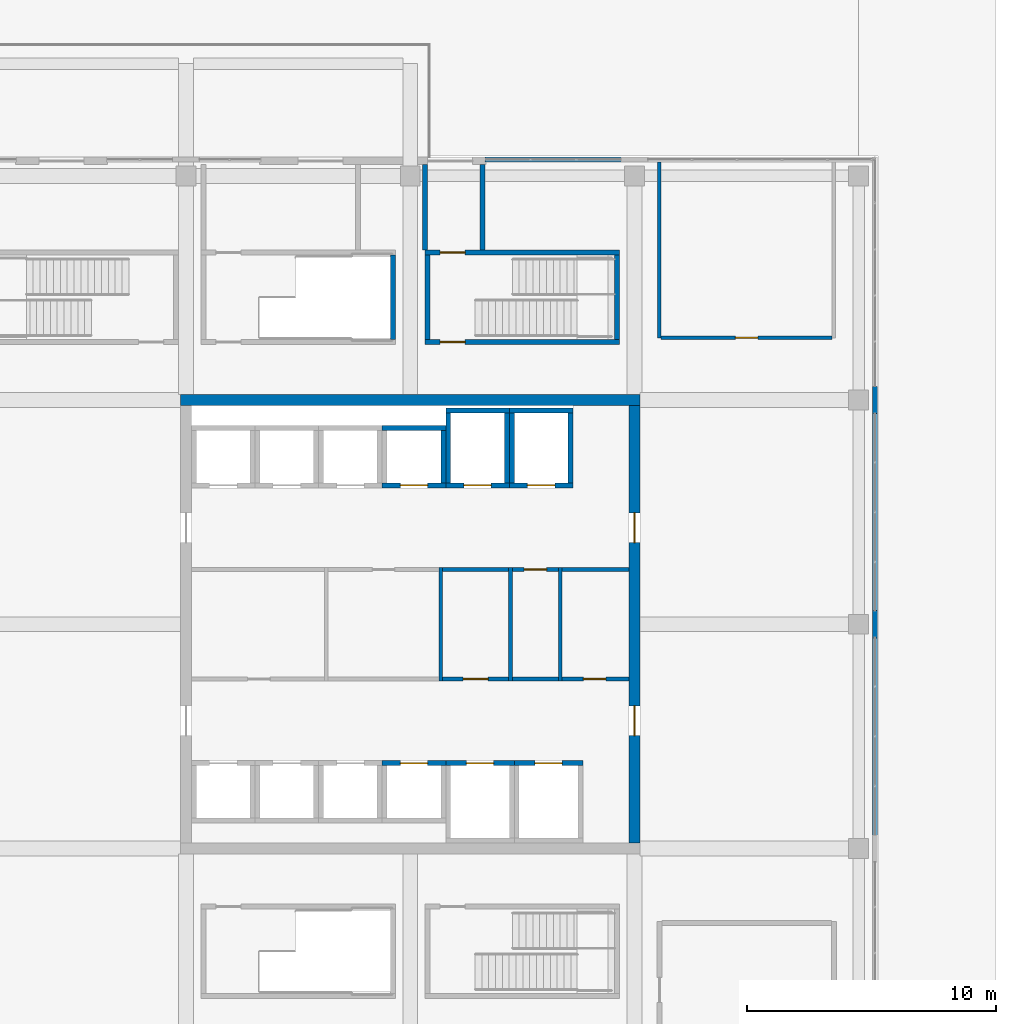
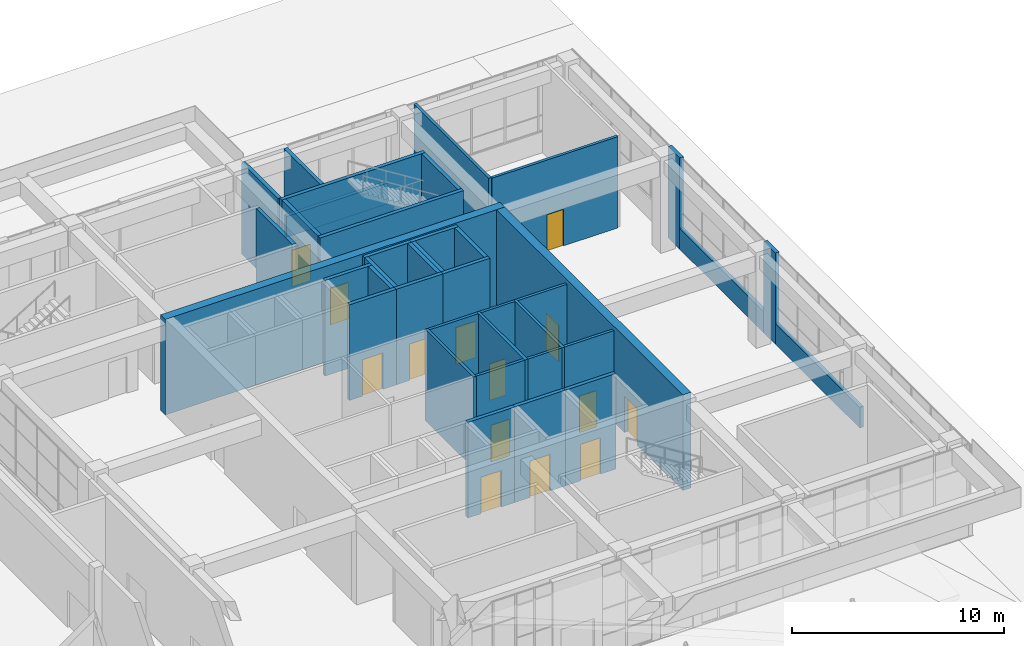
# One storey, part 58 of 72: 39 walls, 14 doors, 14 openings.
"""IFC4 building model written with IfcOpenShell, lengths in metres."""

import ifcopenshell
import ifcopenshell.guid

model = None  # the IFC model being written
_history = None  # IfcOwnerHistory: only IFC2X3 demands one
_inside = {}  # id of a spatial element -> (the spatial element, [elements in it])
_under = {}  # id of a project, library or spatial element -> (it, [spatial elements below it])
_declared = {}  # id of a project -> (the project, [libraries it declares])
_typed = {}  # id of a type object -> (the type object, [elements of that type])
_made_of = {}  # id of a material, layer set ... -> (it, [elements and type objects made of it])


def new_model(schema):
    """Start an empty IFC model of exactly this schema.

    Asked for "IFC4X3", IfcOpenShell would pick the latest addendum, in which some entities
    have other attributes; the version numbers below select the first issue.
    IFC2X3 requires an IfcOwnerHistory on every rooted entity: one is made here for all.
    """
    global model, _history
    if schema == "IFC4X3":
        model = ifcopenshell.file(schema_version=(4, 3, 0, 0))
    else:
        model = ifcopenshell.file(schema=schema)
    _inside.clear()
    _under.clear()
    _declared.clear()
    _typed.clear()
    _made_of.clear()
    _history = None
    if model.schema == "IFC2X3":
        org = make("IfcOrganization", Name="unknown")
        user = make(
            "IfcPersonAndOrganization",
            ThePerson=make("IfcPerson", FamilyName="unknown"),
            TheOrganization=org,
        )
        app = make(
            "IfcApplication",
            ApplicationDeveloper=org,
            Version="unknown",
            ApplicationFullName="unknown",
            ApplicationIdentifier="unknown",
        )
        _history = make(
            "IfcOwnerHistory",
            OwningUser=user,
            OwningApplication=app,
            ChangeAction="ADDED",
            CreationDate=0,
        )
    return model


def make(cls, **values):
    """One entity of the class cls with the attributes given. An attribute that is None is left unset."""
    return model.create_entity(
        cls, **{name: value for name, value in values.items() if value is not None}
    )


def rooted(cls, **values):
    """An entity with a GlobalId (a new one), such as an element, a storey or a relation."""
    return make(cls, GlobalId=ifcopenshell.guid.new(), OwnerHistory=_history, **values)


def si_unit(unit_type, name, prefix=None):
    """IfcSIUnit, for example si_unit("LENGTHUNIT", "METRE", prefix="MILLI")."""
    return make("IfcSIUnit", UnitType=unit_type, Prefix=prefix, Name=name)


def assignment(units):
    """IfcUnitAssignment: the units of a project."""
    return None if units is None else make("IfcUnitAssignment", Units=units)


def point(xyz):
    """IfcCartesianPoint."""
    return None if xyz is None else make("IfcCartesianPoint", Coordinates=xyz)


def direction(xyz):
    """IfcDirection."""
    return None if xyz is None else make("IfcDirection", DirectionRatios=xyz)


def frame(location, z_axis=None, x_axis=None):
    """IfcAxis2Placement3D, a coordinate frame: its origin and axes. An axis left out is left unset."""
    return make(
        "IfcAxis2Placement3D",
        Location=point(location),
        Axis=direction(z_axis),
        RefDirection=direction(x_axis),
    )


def frame_2d(location, x_axis=None):
    """IfcAxis2Placement2D, a coordinate frame in the plane: its origin and x axis."""
    return make(
        "IfcAxis2Placement2D", Location=point(location), RefDirection=direction(x_axis)
    )


def origin():
    """The frame at (0, 0, 0) with its axes left unset."""
    return frame((0.0, 0.0, 0.0))


def place(relative_to, where):
    """IfcLocalPlacement: puts the frame where relative to a parent placement (None: the world)."""
    return make(
        "IfcLocalPlacement", PlacementRelTo=relative_to, RelativePlacement=where
    )


def context(
    kind, dimensions, precision=None, world=None, true_north=None, identifier=None
):
    """IfcGeometricRepresentationContext, for example the 3D "Model" context."""
    return make(
        "IfcGeometricRepresentationContext",
        ContextIdentifier=identifier,
        ContextType=kind,
        CoordinateSpaceDimension=dimensions,
        Precision=precision,
        WorldCoordinateSystem=world,
        TrueNorth=true_north,
    )


def subcontext(parent, identifier, kind, view, scale=None):
    """IfcGeometricRepresentationSubContext, for example "Body" below "Model"."""
    return make(
        "IfcGeometricRepresentationSubContext",
        ContextIdentifier=identifier,
        ContextType=kind,
        ParentContext=parent,
        TargetScale=scale,
        TargetView=view,
    )


def project(units=None, contexts=None):
    """IfcProject with its units and contexts."""
    return rooted(
        "IfcProject",
        Name="project",
        RepresentationContexts=contexts,
        UnitsInContext=assignment(units),
    )


def spatial(cls, under=None, at=None, **own):
    """A site, building, storey or space (cls), placed at a placement, below another one or the project."""
    s = rooted(cls, ObjectPlacement=at, **own)
    if under is not None:
        _under.setdefault(under.id(), (under, []))[1].append(s)
    return s


def profile(cls, at=None, kind="AREA", **sizes):
    """A parametric profile (cls). Its sizes go by their IFC names, for example OverallWidth=200.0."""
    return make(cls, ProfileType=kind, Position=at, **sizes)


def rectangle(**sizes):
    """IfcRectangleProfileDef."""
    return profile("IfcRectangleProfileDef", **sizes)


def extrude(swept, where, along, depth):
    """IfcExtrudedAreaSolid: the profile swept, set in the frame where, extruded along a direction by depth."""
    return make(
        "IfcExtrudedAreaSolid",
        SweptArea=swept,
        Position=where,
        ExtrudedDirection=direction(along),
        Depth=depth,
    )


def shape(context_of_items, identifier, shape_type, items):
    """IfcShapeRepresentation: the items that make up one representation, for example the "Body"."""
    return make(
        "IfcShapeRepresentation",
        ContextOfItems=context_of_items,
        RepresentationIdentifier=identifier,
        RepresentationType=shape_type,
        Items=items,
    )


def material(Name=None, Category=None):
    """IfcMaterial."""
    return make("IfcMaterial", Name=Name, Category=Category)


def layer(
    of_material, thickness, ventilated=None, Name=None, Category=None, Priority=None
):
    """IfcMaterialLayer: one layer of a wall or slab, of a material (None: an air gap)."""
    return make(
        "IfcMaterialLayer",
        Material=of_material,
        LayerThickness=thickness,
        IsVentilated=ventilated,
        Name=Name,
        Category=Category,
        Priority=Priority,
    )


def layer_set(layers, Name=None):
    """IfcMaterialLayerSet."""
    return make("IfcMaterialLayerSet", MaterialLayers=layers, LayerSetName=Name)


def made_of(thing, what):
    """Note that an element or type object is made of a material, layer set ...; save() writes the relation."""
    if what is not None:
        _made_of.setdefault(what.id(), (what, []))[1].append(thing)
    return thing


def type_object(cls, material=None, **own):
    """A type object (cls), such as IfcWallType, which elements share."""
    return made_of(rooted(cls, **own), material)


def element(
    cls,
    number,
    at=None,
    inside=None,
    cuts=None,
    type_object=None,
    material=None,
    context=None,
    identifier="Body",
    shape_type=None,
    held_by="IfcProductDefinitionShape",
    body=None,
    shapes=None,
    **own,
):
    """One element of the class cls, such as IfcWall. Its Tag is "e" and its number.

    at: its placement. inside: the storey or other place that contains it. cuts: it is an
    opening in that element (IfcRelVoidsElement). A single representation is given by context,
    identifier, shape_type and body (its items); several are given by shapes. held_by: the class
    of the entity that holds the representations. save() writes the other relations.
    """
    e = rooted(cls, Tag="e%d" % number, ObjectPlacement=at, **own)
    if body is not None:
        shapes = [shape(context, identifier, shape_type, body)]
    if shapes is not None:
        e.Representation = make(held_by, Representations=shapes)
    if inside is not None:
        _inside.setdefault(inside.id(), (inside, []))[1].append(e)
    if cuts is not None:
        rooted(
            "IfcRelVoidsElement", RelatingBuildingElement=cuts, RelatedOpeningElement=e
        )
    if type_object is not None:
        _typed.setdefault(type_object.id(), (type_object, []))[1].append(e)
    return made_of(e, material)


def fill(opening, filler):
    """IfcRelFillsElement: the door or window that sits in an opening."""
    return rooted(
        "IfcRelFillsElement",
        RelatingOpeningElement=opening,
        RelatedBuildingElement=filler,
    )


def aggregate(whole, parts):
    """IfcRelAggregates: a whole, such as a stair, and the parts it consists of."""
    return rooted("IfcRelAggregates", RelatingObject=whole, RelatedObjects=parts)


def save(model, path):
    """Write the relations noted so far, then the file.

    IfcRelAggregates (storeys below a building ...), IfcRelContainedInSpatialStructure (elements
    in a storey), IfcRelDefinesByType, IfcRelAssociatesMaterial and IfcRelDeclares: one each for
    every whole, place, type object, material and project.
    """
    for whole, parts in _under.values():
        aggregate(whole, parts)
    for where, things in _inside.values():
        rooted(
            "IfcRelContainedInSpatialStructure",
            RelatedElements=things,
            RelatingStructure=where,
        )
    for kind, things in _typed.values():
        rooted("IfcRelDefinesByType", RelatedObjects=things, RelatingType=kind)
    for what, things in _made_of.values():
        rooted("IfcRelAssociatesMaterial", RelatedObjects=things, RelatingMaterial=what)
    for by, libraries in _declared.values():
        rooted("IfcRelDeclares", RelatingContext=by, RelatedDefinitions=libraries)
    model.write(path)


model = new_model("IFC4")

# Units and contexts
model_context = context("Model", 3, precision=1e-05, world=origin(), true_north=direction((0.0, 1.0)))
body_context = subcontext(model_context, "Body", "Model", "MODEL_VIEW")
ifc_project = project(units=[si_unit("LENGTHUNIT", "METRE"), si_unit("AREAUNIT", "SQUARE_METRE"), si_unit("VOLUMEUNIT", "CUBIC_METRE"), si_unit("PLANEANGLEUNIT", "RADIAN"), si_unit("MASSUNIT", "GRAM", prefix="KILO")], contexts=[model_context])

# Site, building, storey
site_placement = place(None, origin())
site = spatial("IfcSite", under=ifc_project, at=site_placement, CompositionType="ELEMENT")
building_placement = place(site_placement, origin())
building = spatial("IfcBuilding", under=site, at=building_placement, Name="Tuart Plaza Theatre", CompositionType="ELEMENT")
storey_placement = place(building_placement, origin())
storey = spatial("IfcBuildingStorey", under=building, at=storey_placement, Name="L00", CompositionType="ELEMENT", Elevation=0.0)

# Walls
ifc_material_1 = material(Name="Masonry block", Category="masonry")
ifc_layer_1 = layer(ifc_material_1, 0.14990234375)
ifc_layer_set_1 = layer_set([ifc_layer_1], Name="PARTITION BLK150 MASONRYB FRL -/120/120")
wall_type_1 = type_object("IfcWallType", Name="PARTITION BLK150 MASONRYB FRL -/120/120", PredefinedType="PARTITIONING", material=ifc_layer_set_1)
for number, where, z_axis, x_axis, name in (
    (1, (133.22509765625, 71.72509765625, 0.0), (0.0, 0.0, 1.0), (0.0, 1.0, 0.0), "P565"),
    (2, (136.02490234375, 71.72509765625, 0.0), (0.0, 0.0, 1.0), (0.0, 1.0, 0.0), "P568"),
):
    element("IfcWall", number, at=place(storey_placement, frame(where, z_axis=z_axis, x_axis=x_axis)), inside=storey, type_object=wall_type_1, Name=name, PredefinedType="PARTITIONING", context=body_context, shape_type="SweptSolid", body=[
        extrude(rectangle(XDim=4.5498046875, YDim=0.14990234375, at=frame_2d((2.27490234375, 0.0))), origin(), (0.0, 0.0, 1.0), 5.25),
    ])

# Wall, opening, door
wall_1_placement = place(storey_placement, frame((133.300048828125, 71.800048828125, 0.0), z_axis=(0.0, 0.0, 1.0), x_axis=(1.0, 0.0, 0.0)))
wall_1 = element("IfcWall", 3, at=wall_1_placement, inside=storey, type_object=wall_type_1, Name="P569", PredefinedType="PARTITIONING", context=body_context, shape_type="SweptSolid", body=[
    extrude(rectangle(XDim=2.64990234375, YDim=0.14990234375, at=frame_2d((1.324951171875, 0.0))), origin(), (0.0, 0.0, 1.0), 5.25),
])
opening_1_placement = place(wall_1_placement, frame((0.824951171875, 0.0, 0.0)))
opening_1 = element("IfcOpeningElement", 4, at=opening_1_placement, cuts=wall_1, Name="Opening L00-089", PredefinedType="OPENING", context=body_context, shape_type="SweptSolid", body=[
    extrude(rectangle(XDim=1.0, YDim=2.10009765625, at=frame_2d((0.5, 1.050048828125))), frame((0.0, 0.0849609375, 0.0), z_axis=(0.0, -1.0, 0.0), x_axis=(1.0, 0.0, 0.0)), (0.0, 0.0, 1.0), 0.169921875),
])
ifc_material_2 = material(Name="Steel Grade 300", Category="steel")
door_type_1 = type_object("IfcDoorType", Name="DOOR 1000x2100 steel single swing FRL -/120/30", OperationType="SINGLE_SWING_LEFT", PredefinedType="DOOR", material=ifc_material_2)
door_1_placement = place(opening_1_placement, origin())
door_1 = element("IfcDoor", 5, at=door_1_placement, inside=storey, type_object=door_type_1, Name="L00-089", OperationType="SINGLE_SWING_LEFT", OverallHeight=2.10009765625, OverallWidth=1.0, PredefinedType="DOOR", context=body_context, shape_type="SweptSolid", body=[
    extrude(rectangle(XDim=1.0, YDim=2.10009765625, at=frame_2d((0.5, 1.050048828125))), frame((0.0, 0.02490234375, 0.0), z_axis=(0.0, -1.0, 0.0), x_axis=(1.0, 0.0, 0.0)), (0.0, 0.0, 1.0), 0.050048828125),
])
fill(opening_1, door_1)

# Walls
wall_2_placement = place(storey_placement, frame((133.300048828125, 76.199951171875, 0.0), z_axis=(0.0, 0.0, 1.0), x_axis=(1.0, 0.0, 0.0)))
element("IfcWall", 6, at=wall_2_placement, inside=storey, type_object=wall_type_1, Name="P570", PredefinedType="PARTITIONING", context=body_context, shape_type="SweptSolid", body=[
    extrude(rectangle(XDim=2.64990234375, YDim=0.14990234375, at=frame_2d((1.324951171875, 0.0))), origin(), (0.0, 0.0, 1.0), 5.25),
])
wall_3_placement = place(storey_placement, frame((138.02490234375, 71.72509765625, 0.0), z_axis=(0.0, 0.0, 1.0), x_axis=(0.0, 1.0, 0.0)))
element("IfcWall", 7, at=wall_3_placement, inside=storey, type_object=wall_type_1, Name="P571", PredefinedType="PARTITIONING", context=body_context, shape_type="SweptSolid", body=[
    extrude(rectangle(XDim=4.5498046875, YDim=0.14990234375, at=frame_2d((2.27490234375, 0.0))), origin(), (0.0, 0.0, 1.0), 5.25),
])
wall_4_placement = place(storey_placement, frame((136.10009765625, 71.800048828125, 0.0), z_axis=(0.0, 0.0, 1.0), x_axis=(1.0, 0.0, 0.0)))
element("IfcWall", 8, at=wall_4_placement, inside=storey, type_object=wall_type_1, Name="P572", PredefinedType="PARTITIONING", context=body_context, shape_type="SweptSolid", body=[
    extrude(rectangle(XDim=1.849853515625, YDim=0.14990234375, at=frame_2d((0.9248046875, 0.0))), origin(), (0.0, 0.0, 1.0), 5.25),
])

# Wall, opening, door
wall_5_placement = place(storey_placement, frame((136.10009765625, 76.199951171875, 0.0), z_axis=(0.0, 0.0, 1.0), x_axis=(1.0, 0.0, 0.0)))
wall_5 = element("IfcWall", 9, at=wall_5_placement, inside=storey, type_object=wall_type_1, Name="P573", PredefinedType="PARTITIONING", context=body_context, shape_type="SweptSolid", body=[
    extrude(rectangle(XDim=1.849853515625, YDim=0.14990234375, at=frame_2d((0.9248046875, 0.0))), origin(), (0.0, 0.0, 1.0), 5.25),
])
opening_2_placement = place(wall_5_placement, frame((0.47509765625, 0.0, 0.0)))
opening_2 = element("IfcOpeningElement", 10, at=opening_2_placement, cuts=wall_5, Name="Opening L00-090", PredefinedType="OPENING", context=body_context, shape_type="SweptSolid", body=[
    extrude(rectangle(XDim=0.89990234375, YDim=2.10009765625, at=frame_2d((0.449951171875, 1.050048828125))), frame((0.0, 0.0849609375, 0.0), z_axis=(0.0, -1.0, 0.0), x_axis=(1.0, 0.0, 0.0)), (0.0, 0.0, 1.0), 0.169921875),
])
ifc_material_3 = material(Name="Steel Grade 300", Category="steel")
door_type_2 = type_object("IfcDoorType", Name="DOOR 900x2100 steel single swing FRL -/120/30", OperationType="SINGLE_SWING_LEFT", PredefinedType="DOOR", material=ifc_material_3)
door_2_placement = place(opening_2_placement, frame((0.89990234375, 0.0, 0.0), z_axis=(0.0, 0.0, 1.0), x_axis=(-1.0, 0.0, 0.0)))
door_2 = element("IfcDoor", 11, at=door_2_placement, inside=storey, type_object=door_type_2, Name="L00-090", OperationType="SINGLE_SWING_LEFT", OverallHeight=2.10009765625, OverallWidth=0.89990234375, PredefinedType="DOOR", context=body_context, shape_type="SweptSolid", body=[
    extrude(rectangle(XDim=0.89990234375, YDim=2.10009765625, at=frame_2d((0.449951171875, 1.050048828125))), frame((0.0, 0.02490234375, 0.0), z_axis=(0.0, -1.0, 0.0), x_axis=(1.0, 0.0, 0.0)), (0.0, 0.0, 1.0), 0.050048828125),
])
fill(opening_2, door_2)

wall_6_placement = place(storey_placement, frame((138.10009765625, 71.800048828125, 0.0), z_axis=(0.0, 0.0, 1.0), x_axis=(1.0, 0.0, 0.0)))
wall_6 = element("IfcWall", 12, at=wall_6_placement, inside=storey, type_object=wall_type_1, Name="P574", PredefinedType="PARTITIONING", context=body_context, shape_type="SweptSolid", body=[
    extrude(rectangle(XDim=2.6748046875, YDim=0.14990234375, at=frame_2d((1.33740234375, 0.0))), origin(), (0.0, 0.0, 1.0), 5.25),
])
opening_3_placement = place(wall_6_placement, frame((0.85009765625, 0.0, 0.0)))
opening_3 = element("IfcOpeningElement", 13, at=opening_3_placement, cuts=wall_6, Name="Opening L00-091", PredefinedType="OPENING", context=body_context, shape_type="SweptSolid", body=[
    extrude(rectangle(XDim=0.89990234375, YDim=2.10009765625, at=frame_2d((0.449951171875, 1.050048828125))), frame((0.0, 0.0849609375, 0.0), z_axis=(0.0, -1.0, 0.0), x_axis=(1.0, 0.0, 0.0)), (0.0, 0.0, 1.0), 0.169921875),
])
door_3_placement = place(opening_3_placement, origin())
door_3 = element("IfcDoor", 14, at=door_3_placement, inside=storey, type_object=door_type_2, Name="L00-091", OperationType="SINGLE_SWING_RIGHT", OverallHeight=2.10009765625, OverallWidth=0.89990234375, PredefinedType="DOOR", context=body_context, shape_type="SweptSolid", body=[
    extrude(rectangle(XDim=0.89990234375, YDim=2.10009765625, at=frame_2d((0.449951171875, 1.050048828125))), frame((0.0, 0.02490234375, 0.0), z_axis=(0.0, -1.0, 0.0), x_axis=(1.0, 0.0, 0.0)), (0.0, 0.0, 1.0), 0.050048828125),
])
fill(opening_3, door_3)

# Walls
wall_7_placement = place(storey_placement, frame((138.10009765625, 76.199951171875, 0.0), z_axis=(0.0, 0.0, 1.0), x_axis=(1.0, 0.0, 0.0)))
element("IfcWall", 15, at=wall_7_placement, inside=storey, type_object=wall_type_1, Name="P575", PredefinedType="PARTITIONING", context=body_context, shape_type="SweptSolid", body=[
    extrude(rectangle(XDim=2.6748046875, YDim=0.14990234375, at=frame_2d((1.33740234375, 0.0))), origin(), (0.0, 0.0, 1.0), 5.25),
])
ifc_material_4 = material(Name="Plasterboard on steel stud", Category="steel")
ifc_layer_2 = layer(ifc_material_4, 0.14990234375)
ifc_layer_set_2 = layer_set([ifc_layer_2], Name="PARTITION STD150")
wall_type_2 = type_object("IfcWallType", Name="PARTITION STD150", PredefinedType="PARTITIONING", material=ifc_layer_set_2)
wall_8_placement = place(storey_placement, frame((142.0, 85.5, 0.0), z_axis=(0.0, 0.0, 1.0), x_axis=(0.0, 1.0, 0.0)))
element("IfcWall", 16, at=wall_8_placement, inside=storey, type_object=wall_type_2, Name="P579", PredefinedType="PARTITIONING", context=body_context, shape_type="SweptSolid", body=[
    extrude(rectangle(XDim=7.050048828125, YDim=0.14990234375, at=frame_2d((3.52490234375, 0.0))), origin(), (0.0, 0.0, 1.0), 5.25),
])

# Wall, opening, door
wall_9_placement = place(storey_placement, frame((142.074951171875, 85.5, 0.0), z_axis=(0.0, 0.0, 1.0), x_axis=(1.0, 0.0, 0.0)))
wall_9 = element("IfcWall", 17, at=wall_9_placement, inside=storey, type_object=wall_type_2, Name="P580", PredefinedType="PARTITIONING", context=body_context, shape_type="SweptSolid", body=[
    extrude(rectangle(XDim=6.85009765625, YDim=0.14990234375, at=frame_2d((3.425048828125, 0.0))), origin(), (0.0, 0.0, 1.0), 5.25),
])
opening_4_placement = place(wall_9_placement, frame((2.97509765625, 0.0, 0.0)))
opening_4 = element("IfcOpeningElement", 18, at=opening_4_placement, cuts=wall_9, Name="Opening L00-093", PredefinedType="OPENING", context=body_context, shape_type="SweptSolid", body=[
    extrude(rectangle(XDim=0.89990234375, YDim=2.10009765625, at=frame_2d((0.449951171875, 1.050048828125))), frame((0.0, 0.0849609375, 0.0), z_axis=(0.0, -1.0, 0.0), x_axis=(1.0, 0.0, 0.0)), (0.0, 0.0, 1.0), 0.169921875),
])
ifc_material_5 = material(Name="Timber", Category="wood")
door_type_3 = type_object("IfcDoorType", Name="DOOR 900x2100 timber single swing", OperationType="SINGLE_SWING_LEFT", PredefinedType="DOOR", material=ifc_material_5)
door_4_placement = place(opening_4_placement, origin())
door_4 = element("IfcDoor", 19, at=door_4_placement, inside=storey, type_object=door_type_3, Name="L00-093", OperationType="SINGLE_SWING_RIGHT", OverallHeight=2.10009765625, OverallWidth=0.89990234375, PredefinedType="DOOR", context=body_context, shape_type="SweptSolid", body=[
    extrude(rectangle(XDim=0.89990234375, YDim=2.10009765625, at=frame_2d((0.449951171875, 1.050048828125))), frame((0.0, 0.02490234375, 0.0), z_axis=(0.0, -1.0, 0.0), x_axis=(1.0, 0.0, 0.0)), (0.0, 0.0, 1.0), 0.050048828125),
])
fill(opening_4, door_4)

ifc_material_6 = material(Name="Concrete N40 (40 MPa)", Category="concrete")
ifc_layer_3 = layer(ifc_material_6, 0.199951171875)
ifc_layer_set_3 = layer_set([ifc_layer_3], Name="SHEAR WALL RC200 FRL 120/120/120")
wall_type_3 = type_object("IfcWallType", Name="SHEAR WALL RC200 FRL 120/120/120", PredefinedType="SHEAR", material=ifc_layer_set_3)
wall_10_placement = place(storey_placement, frame((133.425048828125, 68.425048828125, 0.0), z_axis=(0.0, 0.0, 1.0), x_axis=(-1.0, 0.0, 0.0)))
wall_10 = element("IfcWall", 20, at=wall_10_placement, inside=storey, type_object=wall_type_3, Name="W684", PredefinedType="SHEAR", context=body_context, shape_type="SweptSolid", body=[
    extrude(rectangle(XDim=2.550048828125, YDim=0.199951171875, at=frame_2d((1.27490234375, 0.0))), origin(), (0.0, 0.0, 1.0), 5.5),
])
opening_5_placement = place(wall_10_placement, frame((0.72509765625, 0.0, 0.0)))
opening_5 = element("IfcOpeningElement", 21, at=opening_5_placement, cuts=wall_10, Name="Opening L00-069", PredefinedType="OPENING", context=body_context, shape_type="SweptSolid", body=[
    extrude(rectangle(XDim=1.10009765625, YDim=2.10009765625, at=frame_2d((0.550048828125, 1.050048828125))), frame((0.0, 0.10986328125, 0.0), z_axis=(0.0, -1.0, 0.0), x_axis=(1.0, 0.0, 0.0)), (0.0, 0.0, 1.0), 0.219970703125),
])
ifc_material_7 = material(Name="Steel Grade 300", Category="steel")
door_type_4 = type_object("IfcDoorType", Name="LANDING DOOR 1100x2100 steel sliding FRL -/120/30", OperationType="SLIDING_TO_LEFT", PredefinedType="DOOR", material=ifc_material_7)
door_5_placement = place(opening_5_placement, origin())
door_5 = element("IfcDoor", 22, at=door_5_placement, inside=storey, type_object=door_type_4, Name="L00-069", OperationType="SLIDING_TO_LEFT", OverallHeight=2.10009765625, OverallWidth=1.10009765625, PredefinedType="DOOR", context=body_context, shape_type="SweptSolid", body=[
    extrude(rectangle(XDim=1.10009765625, YDim=2.10009765625, at=frame_2d((0.550048828125, 1.050048828125))), frame((0.0, 0.02490234375, 0.0), z_axis=(0.0, -1.0, 0.0), x_axis=(1.0, 0.0, 0.0)), (0.0, 0.0, 1.0), 0.050048828125),
])
fill(opening_5, door_5)

wall_11_placement = place(storey_placement, frame((130.875, 79.574951171875, 0.0), z_axis=(0.0, 0.0, 1.0), x_axis=(1.0, 0.0, 0.0)))
wall_11 = element("IfcWall", 23, at=wall_11_placement, inside=storey, type_object=wall_type_3, Name="W942", PredefinedType="SHEAR", context=body_context, shape_type="SweptSolid", body=[
    extrude(rectangle(XDim=2.550048828125, YDim=0.199951171875, at=frame_2d((1.27490234375, 0.0))), origin(), (0.0, 0.0, 1.0), 5.5),
])
opening_6_placement = place(wall_11_placement, frame((0.72509765625, 0.0, 0.0)))
opening_6 = element("IfcOpeningElement", 24, at=opening_6_placement, cuts=wall_11, Name="Opening L00-073", PredefinedType="OPENING", context=body_context, shape_type="SweptSolid", body=[
    extrude(rectangle(XDim=1.10009765625, YDim=2.10009765625, at=frame_2d((0.550048828125, 1.050048828125))), frame((0.0, 0.10986328125, 0.0), z_axis=(0.0, -1.0, 0.0), x_axis=(1.0, 0.0, 0.0)), (0.0, 0.0, 1.0), 0.219970703125),
])
door_6_placement = place(opening_6_placement, origin())
door_6 = element("IfcDoor", 25, at=door_6_placement, inside=storey, type_object=door_type_4, Name="L00-073", OperationType="SLIDING_TO_LEFT", OverallHeight=2.10009765625, OverallWidth=1.10009765625, PredefinedType="DOOR", context=body_context, shape_type="SweptSolid", body=[
    extrude(rectangle(XDim=1.10009765625, YDim=2.10009765625, at=frame_2d((0.550048828125, 1.050048828125))), frame((0.0, 0.02490234375, 0.0), z_axis=(0.0, -1.0, 0.0), x_axis=(1.0, 0.0, 0.0)), (0.0, 0.0, 1.0), 0.050048828125),
])
fill(opening_6, door_6)

# Walls
wall_12_placement = place(storey_placement, frame((133.324951171875, 79.675048828125, 0.0), z_axis=(0.0, 0.0, 1.0), x_axis=(0.0, 1.0, 0.0)))
element("IfcWall", 26, at=wall_12_placement, inside=storey, type_object=wall_type_3, Name="W943", PredefinedType="SHEAR", context=body_context, shape_type="SweptSolid", body=[
    extrude(rectangle(XDim=2.099853515625, YDim=0.199951171875, at=frame_2d((1.0498046875, 0.0))), origin(), (0.0, 0.0, 1.0), 5.5),
])
wall_13_placement = place(storey_placement, frame((133.425048828125, 81.875, 0.0), z_axis=(0.0, 0.0, 1.0), x_axis=(-1.0, 0.0, 0.0)))
element("IfcWall", 27, at=wall_13_placement, inside=storey, type_object=wall_type_3, Name="W944", PredefinedType="SHEAR", context=body_context, shape_type="SweptSolid", body=[
    extrude(rectangle(XDim=2.550048828125, YDim=0.199951171875, at=frame_2d((1.27490234375, 0.0))), origin(), (0.0, 0.0, 1.0), 5.5),
])

# Wall, opening, door
wall_14_placement = place(storey_placement, frame((136.175048828125, 68.425048828125, 0.0), z_axis=(0.0, 0.0, 1.0), x_axis=(-1.0, 0.0, 0.0)))
wall_14 = element("IfcWall", 28, at=wall_14_placement, inside=storey, type_object=wall_type_3, Name="W1016", PredefinedType="SHEAR", context=body_context, shape_type="SweptSolid", body=[
    extrude(rectangle(XDim=2.75, YDim=0.199951171875, at=frame_2d((1.375, 0.0))), origin(), (0.0, 0.0, 1.0), 5.5),
])
opening_7_placement = place(wall_14_placement, frame((0.824951171875, 0.0, 0.0)))
opening_7 = element("IfcOpeningElement", 29, at=opening_7_placement, cuts=wall_14, Name="Opening L00-074", PredefinedType="OPENING", context=body_context, shape_type="SweptSolid", body=[
    extrude(rectangle(XDim=1.10009765625, YDim=2.10009765625, at=frame_2d((0.550048828125, 1.050048828125))), frame((0.0, 0.10986328125, 0.0), z_axis=(0.0, -1.0, 0.0), x_axis=(1.0, 0.0, 0.0)), (0.0, 0.0, 1.0), 0.219970703125),
])
door_7_placement = place(opening_7_placement, origin())
door_7 = element("IfcDoor", 30, at=door_7_placement, inside=storey, type_object=door_type_4, Name="L00-074", OperationType="SLIDING_TO_LEFT", OverallHeight=2.10009765625, OverallWidth=1.10009765625, PredefinedType="DOOR", context=body_context, shape_type="SweptSolid", body=[
    extrude(rectangle(XDim=1.10009765625, YDim=2.10009765625, at=frame_2d((0.550048828125, 1.050048828125))), frame((0.0, 0.02490234375, 0.0), z_axis=(0.0, -1.0, 0.0), x_axis=(1.0, 0.0, 0.0)), (0.0, 0.0, 1.0), 0.050048828125),
])
fill(opening_7, door_7)

wall_15_placement = place(storey_placement, frame((138.925048828125, 68.425048828125, 0.0), z_axis=(0.0, 0.0, 1.0), x_axis=(-1.0, 0.0, 0.0)))
wall_15 = element("IfcWall", 31, at=wall_15_placement, inside=storey, type_object=wall_type_3, Name="W1092", PredefinedType="SHEAR", context=body_context, shape_type="SweptSolid", body=[
    extrude(rectangle(XDim=2.75, YDim=0.199951171875, at=frame_2d((1.375, 0.0))), origin(), (0.0, 0.0, 1.0), 5.5),
])
opening_8_placement = place(wall_15_placement, frame((0.824951171875, 0.0, 0.0)))
opening_8 = element("IfcOpeningElement", 32, at=opening_8_placement, cuts=wall_15, Name="Opening L00-075", PredefinedType="OPENING", context=body_context, shape_type="SweptSolid", body=[
    extrude(rectangle(XDim=1.10009765625, YDim=2.10009765625, at=frame_2d((0.550048828125, 1.050048828125))), frame((0.0, 0.10986328125, 0.0), z_axis=(0.0, -1.0, 0.0), x_axis=(1.0, 0.0, 0.0)), (0.0, 0.0, 1.0), 0.219970703125),
])
door_8_placement = place(opening_8_placement, origin())
door_8 = element("IfcDoor", 33, at=door_8_placement, inside=storey, type_object=door_type_4, Name="L00-075", OperationType="SLIDING_TO_LEFT", OverallHeight=2.10009765625, OverallWidth=1.10009765625, PredefinedType="DOOR", context=body_context, shape_type="SweptSolid", body=[
    extrude(rectangle(XDim=1.10009765625, YDim=2.10009765625, at=frame_2d((0.550048828125, 1.050048828125))), frame((0.0, 0.02490234375, 0.0), z_axis=(0.0, -1.0, 0.0), x_axis=(1.0, 0.0, 0.0)), (0.0, 0.0, 1.0), 0.050048828125),
])
fill(opening_8, door_8)

wall_16_placement = place(storey_placement, frame((133.425048828125, 79.574951171875, 0.0), z_axis=(0.0, 0.0, 1.0), x_axis=(1.0, 0.0, 0.0)))
wall_16 = element("IfcWall", 34, at=wall_16_placement, inside=storey, type_object=wall_type_3, Name="W1166", PredefinedType="SHEAR", context=body_context, shape_type="SweptSolid", body=[
    extrude(rectangle(XDim=2.550048828125, YDim=0.199951171875, at=frame_2d((1.27490234375, 0.0))), origin(), (0.0, 0.0, 1.0), 5.5),
])
opening_9_placement = place(wall_16_placement, frame((0.72509765625, 0.0, 0.0)))
opening_9 = element("IfcOpeningElement", 35, at=opening_9_placement, cuts=wall_16, Name="Opening L00-076", PredefinedType="OPENING", context=body_context, shape_type="SweptSolid", body=[
    extrude(rectangle(XDim=1.10009765625, YDim=2.10009765625, at=frame_2d((0.550048828125, 1.050048828125))), frame((0.0, 0.10986328125, 0.0), z_axis=(0.0, -1.0, 0.0), x_axis=(1.0, 0.0, 0.0)), (0.0, 0.0, 1.0), 0.219970703125),
])
door_9_placement = place(opening_9_placement, origin())
door_9 = element("IfcDoor", 36, at=door_9_placement, inside=storey, type_object=door_type_4, Name="L00-076", OperationType="SLIDING_TO_LEFT", OverallHeight=2.10009765625, OverallWidth=1.10009765625, PredefinedType="DOOR", context=body_context, shape_type="SweptSolid", body=[
    extrude(rectangle(XDim=1.10009765625, YDim=2.10009765625, at=frame_2d((0.550048828125, 1.050048828125))), frame((0.0, 0.02490234375, 0.0), z_axis=(0.0, -1.0, 0.0), x_axis=(1.0, 0.0, 0.0)), (0.0, 0.0, 1.0), 0.050048828125),
])
fill(opening_9, door_9)

# Walls
wall_17_placement = place(storey_placement, frame((135.875, 79.675048828125, 0.0), z_axis=(0.0, 0.0, 1.0), x_axis=(0.0, 1.0, 0.0)))
element("IfcWall", 37, at=wall_17_placement, inside=storey, type_object=wall_type_3, Name="W1167", PredefinedType="SHEAR", context=body_context, shape_type="SweptSolid", body=[
    extrude(rectangle(XDim=2.800048828125, YDim=0.199951171875, at=frame_2d((1.39990234375, 0.0))), origin(), (0.0, 0.0, 1.0), 5.5),
])
wall_18_placement = place(storey_placement, frame((135.97509765625, 82.574951171875, 0.0), z_axis=(0.0, 0.0, 1.0), x_axis=(-1.0, 0.0, 0.0)))
element("IfcWall", 38, at=wall_18_placement, inside=storey, type_object=wall_type_3, Name="W1168", PredefinedType="SHEAR", context=body_context, shape_type="SweptSolid", body=[
    extrude(rectangle(XDim=2.550048828125, YDim=0.199951171875, at=frame_2d((1.27490234375, 0.0))), origin(), (0.0, 0.0, 1.0), 5.5),
])
wall_19_placement = place(storey_placement, frame((133.52490234375, 82.47509765625, 0.0), z_axis=(0.0, 0.0, 1.0), x_axis=(0.0, -1.0, 0.0)))
element("IfcWall", 39, at=wall_19_placement, inside=storey, type_object=wall_type_3, Name="W1169", PredefinedType="SHEAR", context=body_context, shape_type="SweptSolid", body=[
    extrude(rectangle(XDim=2.800048828125, YDim=0.199951171875, at=frame_2d((1.39990234375, 0.0))), origin(), (0.0, 0.0, 1.0), 5.5),
])

# Wall, opening, door
wall_20_placement = place(storey_placement, frame((135.97509765625, 79.574951171875, 0.0), z_axis=(0.0, 0.0, 1.0), x_axis=(1.0, 0.0, 0.0)))
wall_20 = element("IfcWall", 40, at=wall_20_placement, inside=storey, type_object=wall_type_3, Name="W1242", PredefinedType="SHEAR", context=body_context, shape_type="SweptSolid", body=[
    extrude(rectangle(XDim=2.5498046875, YDim=0.199951171875, at=frame_2d((1.27490234375, 0.0))), origin(), (0.0, 0.0, 1.0), 5.5),
])
opening_10_placement = place(wall_20_placement, frame((0.72509765625, 0.0, 0.0)))
opening_10 = element("IfcOpeningElement", 41, at=opening_10_placement, cuts=wall_20, Name="Opening L00-077", PredefinedType="OPENING", context=body_context, shape_type="SweptSolid", body=[
    extrude(rectangle(XDim=1.10009765625, YDim=2.10009765625, at=frame_2d((0.550048828125, 1.050048828125))), frame((0.0, 0.10986328125, 0.0), z_axis=(0.0, -1.0, 0.0), x_axis=(1.0, 0.0, 0.0)), (0.0, 0.0, 1.0), 0.219970703125),
])
door_10_placement = place(opening_10_placement, origin())
door_10 = element("IfcDoor", 42, at=door_10_placement, inside=storey, type_object=door_type_4, Name="L00-077", OperationType="SLIDING_TO_LEFT", OverallHeight=2.10009765625, OverallWidth=1.10009765625, PredefinedType="DOOR", context=body_context, shape_type="SweptSolid", body=[
    extrude(rectangle(XDim=1.10009765625, YDim=2.10009765625, at=frame_2d((0.550048828125, 1.050048828125))), frame((0.0, 0.02490234375, 0.0), z_axis=(0.0, -1.0, 0.0), x_axis=(1.0, 0.0, 0.0)), (0.0, 0.0, 1.0), 0.050048828125),
])
fill(opening_10, door_10)

# Walls
wall_21_placement = place(storey_placement, frame((138.425048828125, 79.675048828125, 0.0), z_axis=(0.0, 0.0, 1.0), x_axis=(0.0, 1.0, 0.0)))
element("IfcWall", 43, at=wall_21_placement, inside=storey, type_object=wall_type_3, Name="W1243", PredefinedType="SHEAR", context=body_context, shape_type="SweptSolid", body=[
    extrude(rectangle(XDim=2.800048828125, YDim=0.199951171875, at=frame_2d((1.39990234375, 0.0))), origin(), (0.0, 0.0, 1.0), 5.5),
])
wall_22_placement = place(storey_placement, frame((138.52490234375, 82.574951171875, 0.0), z_axis=(0.0, 0.0, 1.0), x_axis=(-1.0, 0.0, 0.0)))
element("IfcWall", 44, at=wall_22_placement, inside=storey, type_object=wall_type_3, Name="W1244", PredefinedType="SHEAR", context=body_context, shape_type="SweptSolid", body=[
    extrude(rectangle(XDim=2.5498046875, YDim=0.199951171875, at=frame_2d((1.27490234375, 0.0))), origin(), (0.0, 0.0, 1.0), 5.5),
])
wall_23_placement = place(storey_placement, frame((136.074951171875, 82.47509765625, 0.0), z_axis=(0.0, 0.0, 1.0), x_axis=(0.0, -1.0, 0.0)))
element("IfcWall", 45, at=wall_23_placement, inside=storey, type_object=wall_type_3, Name="W1245", PredefinedType="SHEAR", context=body_context, shape_type="SweptSolid", body=[
    extrude(rectangle(XDim=2.800048828125, YDim=0.199951171875, at=frame_2d((1.39990234375, 0.0))), origin(), (0.0, 0.0, 1.0), 5.5),
])

# Wall, opening, door
wall_24_placement = place(storey_placement, frame((132.60009765625, 85.324951171875, 0.0), z_axis=(0.0, 0.0, 1.0), x_axis=(1.0, 0.0, 0.0)))
wall_24 = element("IfcWall", 46, at=wall_24_placement, inside=storey, type_object=wall_type_3, Name="P420", PredefinedType="SHEAR", context=body_context, shape_type="SweptSolid", body=[
    extrude(rectangle(XDim=7.7998046875, YDim=0.199951171875, at=frame_2d((3.89990234375, 0.0))), origin(), (0.0, 0.0, 1.0), 5.25),
])
opening_11_placement = place(wall_24_placement, frame((0.60009765625, 0.0, 0.0)))
opening_11 = element("IfcOpeningElement", 47, at=opening_11_placement, cuts=wall_24, Name="Opening L00-079", PredefinedType="OPENING", context=body_context, shape_type="SweptSolid", body=[
    extrude(rectangle(XDim=1.0, YDim=2.10009765625, at=frame_2d((0.5, 1.050048828125))), frame((0.0, 0.10986328125, 0.0), z_axis=(0.0, -1.0, 0.0), x_axis=(1.0, 0.0, 0.0)), (0.0, 0.0, 1.0), 0.219970703125),
])
door_11_placement = place(opening_11_placement, origin())
door_11 = element("IfcDoor", 48, at=door_11_placement, inside=storey, type_object=door_type_1, Name="L00-079", OperationType="SINGLE_SWING_RIGHT", OverallHeight=2.10009765625, OverallWidth=1.0, PredefinedType="DOOR", context=body_context, shape_type="SweptSolid", body=[
    extrude(rectangle(XDim=1.0, YDim=2.10009765625, at=frame_2d((0.5, 1.050048828125))), frame((0.0, 0.02490234375, 0.0), z_axis=(0.0, -1.0, 0.0), x_axis=(1.0, 0.0, 0.0)), (0.0, 0.0, 1.0), 0.050048828125),
])
fill(opening_11, door_11)

# Wall
wall_25_placement = place(storey_placement, frame((140.300048828125, 85.425048828125, 0.0), z_axis=(0.0, 0.0, 1.0), x_axis=(0.0, 1.0, 0.0)))
element("IfcWall", 49, at=wall_25_placement, inside=storey, type_object=wall_type_3, Name="P421", PredefinedType="SHEAR", context=body_context, shape_type="SweptSolid", body=[
    extrude(rectangle(XDim=3.39990234375, YDim=0.199951171875, at=frame_2d((1.699951171875, 0.0))), origin(), (0.0, 0.0, 1.0), 5.25),
])

# Wall, opening, door
wall_26_placement = place(storey_placement, frame((140.39990234375, 88.925048828125, 0.0), z_axis=(0.0, 0.0, 1.0), x_axis=(-1.0, 0.0, 0.0)))
wall_26 = element("IfcWall", 50, at=wall_26_placement, inside=storey, type_object=wall_type_3, Name="P422", PredefinedType="SHEAR", context=body_context, shape_type="SweptSolid", body=[
    extrude(rectangle(XDim=7.7998046875, YDim=0.199951171875, at=frame_2d((3.89990234375, 0.0))), origin(), (0.0, 0.0, 1.0), 5.25),
])
opening_12_placement = place(wall_26_placement, frame((6.199951171875, 0.0, 0.0)))
opening_12 = element("IfcOpeningElement", 51, at=opening_12_placement, cuts=wall_26, Name="Opening L00-099", PredefinedType="OPENING", context=body_context, shape_type="SweptSolid", body=[
    extrude(rectangle(XDim=1.0, YDim=2.10009765625, at=frame_2d((0.5, 1.050048828125))), frame((0.0, 0.10986328125, 0.0), z_axis=(0.0, -1.0, 0.0), x_axis=(1.0, 0.0, 0.0)), (0.0, 0.0, 1.0), 0.219970703125),
])
door_12_placement = place(opening_12_placement, frame((1.0, 0.0, 0.0), z_axis=(0.0, 0.0, 1.0), x_axis=(-1.0, 0.0, 0.0)))
door_12 = element("IfcDoor", 52, at=door_12_placement, inside=storey, type_object=door_type_1, Name="L00-099", OperationType="SINGLE_SWING_RIGHT", OverallHeight=2.10009765625, OverallWidth=1.0, PredefinedType="DOOR", context=body_context, shape_type="SweptSolid", body=[
    extrude(rectangle(XDim=1.0, YDim=2.10009765625, at=frame_2d((0.5, 1.050048828125))), frame((0.0, 0.02490234375, 0.0), z_axis=(0.0, -1.0, 0.0), x_axis=(1.0, 0.0, 0.0)), (0.0, 0.0, 1.0), 0.050048828125),
])
fill(opening_12, door_12)

# Walls
for number, where, z_axis, x_axis, name in (
    (53, (132.699951171875, 88.824951171875, 0.0), (0.0, 0.0, 1.0), (0.0, -1.0, 0.0), "P423"),
    (54, (131.300048828125, 85.425048828125, 0.0), (0.0, 0.0, 1.0), (0.0, 1.0, 0.0), "P497"),
):
    element("IfcWall", number, at=place(storey_placement, frame(where, z_axis=z_axis, x_axis=x_axis)), inside=storey, type_object=wall_type_3, Name=name, PredefinedType="SHEAR", context=body_context, shape_type="SweptSolid", body=[
        extrude(rectangle(XDim=3.39990234375, YDim=0.199951171875, at=frame_2d((1.699951171875, 0.0))), origin(), (0.0, 0.0, 1.0), 5.25),
    ])
for number, where, z_axis, x_axis, name in (
    (55, (132.60009765625, 89.02490234375, 0.0), (0.0, 0.0, 1.0), (0.0, 1.0, 0.0), "W1550"),
    (56, (134.89990234375, 89.02490234375, 0.0), (0.0, 0.0, 1.0), (0.0, 1.0, 0.0), "W1551"),
):
    element("IfcWall", number, at=place(storey_placement, frame(where, z_axis=z_axis, x_axis=x_axis)), inside=storey, type_object=wall_type_3, Name=name, PredefinedType="SHEAR", context=body_context, shape_type="SweptSolid", body=[
        extrude(rectangle(XDim=3.425048828125, YDim=0.199951171875, at=frame_2d((1.71240234375, 0.0))), origin(), (0.0, 0.0, 1.0), 5.25),
    ])

# Wall, openings, doors
ifc_material_8 = material(Name="Concrete N50 (50 MPa)", Category="concrete")
ifc_layer_4 = layer(ifc_material_8, 0.449951171875)
ifc_layer_set_4 = layer_set([ifc_layer_4], Name="SHEAR WALL RC450 N50 FRL 120/120/120")
wall_type_4 = type_object("IfcWallType", Name="SHEAR WALL RC450 N50 FRL 120/120/120", PredefinedType="SHEAR", material=ifc_layer_set_4)
wall_27_placement = place(storey_placement, frame((141.0, 65.22509765625, 0.0), z_axis=(0.0, 0.0, 1.0), x_axis=(0.0, 1.0, 0.0)))
wall_27 = element("IfcWall", 57, at=wall_27_placement, inside=storey, type_object=wall_type_4, Name="W356", PredefinedType="SHEAR", context=body_context, shape_type="SweptSolid", body=[
    extrude(rectangle(XDim=17.5498046875, YDim=0.449951171875, at=frame_2d((8.77490234375, 0.0))), origin(), (0.0, 0.0, 1.0), 5.5),
])
opening_13_placement = place(wall_27_placement, frame((4.300048828125, 0.0, 0.0)))
opening_13 = element("IfcOpeningElement", 58, at=opening_13_placement, cuts=wall_27, Name="Opening L00-084", PredefinedType="OPENING", context=body_context, shape_type="SweptSolid", body=[
    extrude(rectangle(XDim=1.199951171875, YDim=2.10009765625, at=frame_2d((0.60009765625, 1.050048828125))), frame((0.0, 0.23486328125, 0.0), z_axis=(0.0, -1.0, 0.0), x_axis=(1.0, 0.0, 0.0)), (0.0, 0.0, 1.0), 0.469970703125),
])
opening_14_placement = place(wall_27_placement, frame((12.050048828125, 0.0, 0.0)))
opening_14 = element("IfcOpeningElement", 59, at=opening_14_placement, cuts=wall_27, Name="Opening L00-086", PredefinedType="OPENING", context=body_context, shape_type="SweptSolid", body=[
    extrude(rectangle(XDim=1.199951171875, YDim=2.10009765625, at=frame_2d((0.60009765625, 1.050048828125))), frame((0.0, 0.23486328125, 0.0), z_axis=(0.0, -1.0, 0.0), x_axis=(1.0, 0.0, 0.0)), (0.0, 0.0, 1.0), 0.469970703125),
])
ifc_material_9 = material(Name="Steel Grade 300", Category="steel")
door_type_5 = type_object("IfcDoorType", Name="DOOR 1200x2100 steel single swing FRL -/120/30", OperationType="SINGLE_SWING_LEFT", PredefinedType="DOOR", material=ifc_material_9)
door_13_placement = place(opening_13_placement, origin())
door_13 = element("IfcDoor", 60, at=door_13_placement, inside=storey, type_object=door_type_5, Name="L00-084", OperationType="SINGLE_SWING_LEFT", OverallHeight=2.10009765625, OverallWidth=1.199951171875, PredefinedType="DOOR", context=body_context, shape_type="SweptSolid", body=[
    extrude(rectangle(XDim=1.199951171875, YDim=2.10009765625, at=frame_2d((0.60009765625, 1.050048828125))), frame((0.0, 0.02490234375, 0.0), z_axis=(0.0, -1.0, 0.0), x_axis=(1.0, 0.0, 0.0)), (0.0, 0.0, 1.0), 0.050048828125),
])
fill(opening_13, door_13)
door_14_placement = place(opening_14_placement, origin())
door_14 = element("IfcDoor", 61, at=door_14_placement, inside=storey, type_object=door_type_5, Name="L00-086", OperationType="SINGLE_SWING_RIGHT", OverallHeight=2.10009765625, OverallWidth=1.199951171875, PredefinedType="DOOR", context=body_context, shape_type="SweptSolid", body=[
    extrude(rectangle(XDim=1.199951171875, YDim=2.10009765625, at=frame_2d((0.60009765625, 1.050048828125))), frame((0.0, 0.02490234375, 0.0), z_axis=(0.0, -1.0, 0.0), x_axis=(1.0, 0.0, 0.0)), (0.0, 0.0, 1.0), 0.050048828125),
])
fill(opening_14, door_14)

# Walls
wall_28_placement = place(storey_placement, frame((141.22509765625, 83.0, 0.0), z_axis=(0.0, 0.0, 1.0), x_axis=(-1.0, 0.0, 0.0)))
element("IfcWall", 62, at=wall_28_placement, inside=storey, type_object=wall_type_4, Name="W357", PredefinedType="SHEAR", context=body_context, shape_type="SweptSolid", body=[
    extrude(rectangle(XDim=18.4501953125, YDim=0.449951171875, at=frame_2d((9.22509765625, 0.0))), origin(), (0.0, 0.0, 1.0), 5.5),
])
ifc_material_10 = material(Name="Steel panel", Category="steel")
ifc_layer_5 = layer(ifc_material_10, 0.199951171875)
ifc_layer_set_5 = layer_set([ifc_layer_5], Name="WALL CLD200 STEELPAN EXT base panel")
wall_type_5 = type_object("IfcWallType", Name="WALL CLD200 STEELPAN EXT base panel", PredefinedType="SOLIDWALL", material=ifc_layer_set_5)
wall_29_placement = place(storey_placement, frame((150.64990234375, 65.5, 0.0), z_axis=(0.0, 0.0, 1.0), x_axis=(0.0, 1.0, 0.0)))
element("IfcWall", 63, at=wall_29_placement, inside=storey, type_object=wall_type_5, Name="P95", PredefinedType="SOLIDWALL", context=body_context, shape_type="SweptSolid", body=[
    extrude(rectangle(XDim=8.0, YDim=0.199951171875, at=frame_2d((4.0, 0.0))), origin(), (0.0, 0.0, 1.0), 1.199951171875),
])
wall_30_placement = place(storey_placement, frame((150.64990234375, 73.449951171875, 0.0), z_axis=(0.0, 0.0, 1.0), x_axis=(0.0, 1.0, 0.0)))
element("IfcWall", 64, at=wall_30_placement, inside=storey, type_object=wall_type_5, Name="P96", PredefinedType="SOLIDWALL", context=body_context, shape_type="SweptSolid", body=[
    extrude(rectangle(XDim=1.10009765625, YDim=0.199951171875, at=frame_2d((0.550048828125, 0.0))), origin(), (0.0, 0.0, 1.0), 5.25),
])
wall_31_placement = place(storey_placement, frame((150.64990234375, 74.5, 0.0), z_axis=(0.0, 0.0, 1.0), x_axis=(0.0, 1.0, 0.0)))
element("IfcWall", 65, at=wall_31_placement, inside=storey, type_object=wall_type_5, Name="P97", PredefinedType="SOLIDWALL", context=body_context, shape_type="SweptSolid", body=[
    extrude(rectangle(XDim=8.0, YDim=0.199951171875, at=frame_2d((4.0, 0.0))), origin(), (0.0, 0.0, 1.0), 1.199951171875),
])
wall_32_placement = place(storey_placement, frame((150.64990234375, 82.449951171875, 0.0), z_axis=(0.0, 0.0, 1.0), x_axis=(0.0, 1.0, 0.0)))
element("IfcWall", 66, at=wall_32_placement, inside=storey, type_object=wall_type_5, Name="P98", PredefinedType="SOLIDWALL", context=body_context, shape_type="SweptSolid", body=[
    extrude(rectangle(XDim=1.10009765625, YDim=0.199951171875, at=frame_2d((0.550048828125, 0.0))), origin(), (0.0, 0.0, 1.0), 5.25),
])
wall_33_placement = place(storey_placement, frame((140.5, 92.64990234375, 0.0), z_axis=(0.0, 0.0, 1.0), x_axis=(-1.0, 0.0, 0.0)))
element("IfcWall", 67, at=wall_33_placement, inside=storey, type_object=wall_type_5, Name="P102", PredefinedType="SOLIDWALL", context=body_context, shape_type="SweptSolid", body=[
    extrude(rectangle(XDim=5.5, YDim=0.199951171875, at=frame_2d((2.75, 0.0))), origin(), (0.0, 0.0, 1.0), 1.199951171875),
])

save(model, "model.ifc")
